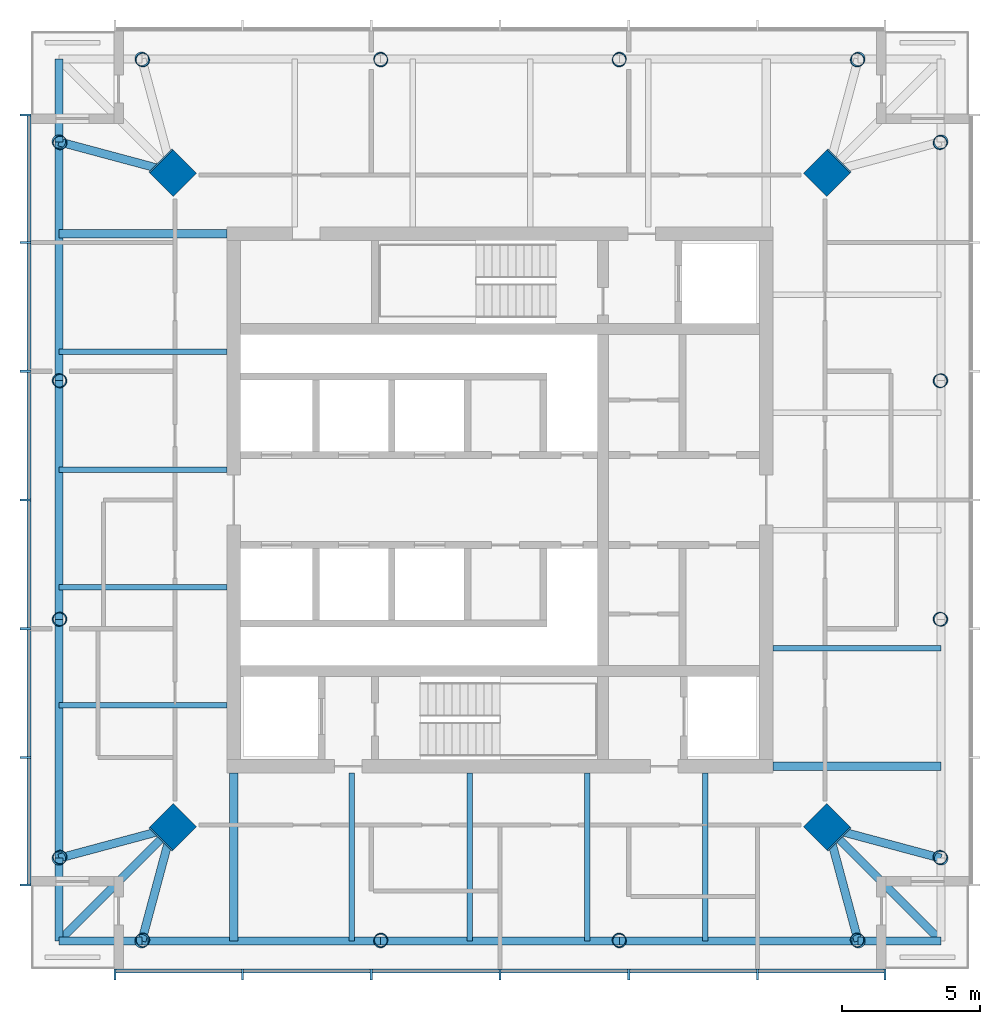
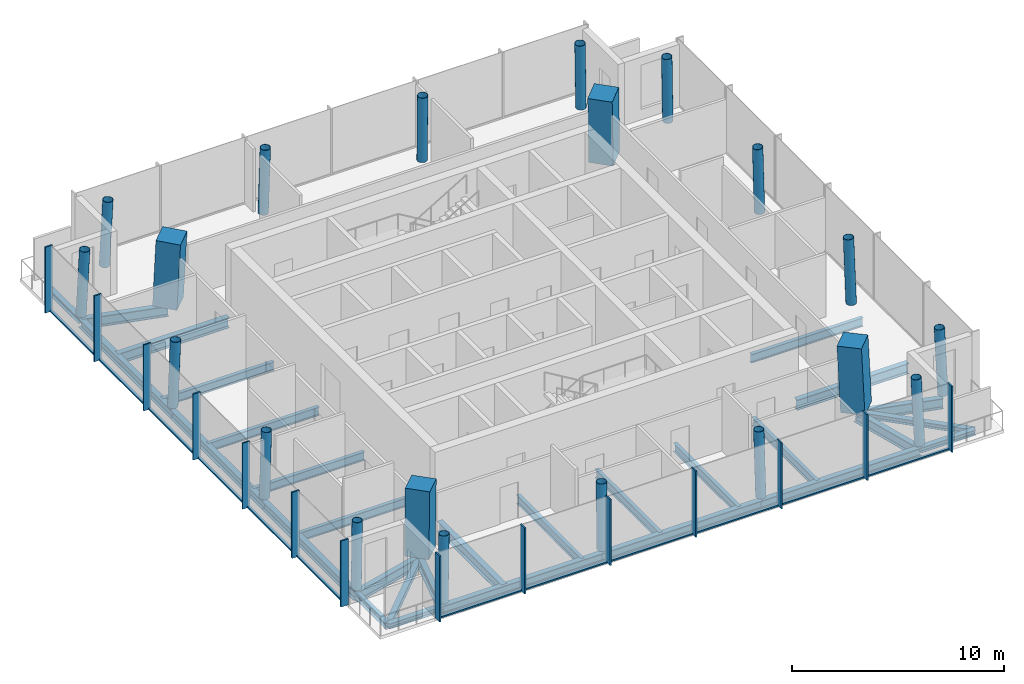
# One storey, part 1 of 7: 29 beams, 26 members, 20 columns, 2 elements without a shape of their own.
"""IFC4 building model written with IfcOpenShell, lengths in metres."""

from ifc_helpers import new_model, si_unit, direction, frame, origin, origin_2d, place, context, subcontext, project, spatial, rectangle, hollow_circle, i_section, extrude, material, material_profile, profile_set, type_object, element, aggregate, save


model = new_model("IFC4")

# Units and contexts
model_context = context("Model", 3, precision=1e-05, world=origin(), true_north=direction((0.0, 1.0)))
body_context = subcontext(model_context, "Body", "Model", "MODEL_VIEW")
ifc_project = project(units=[si_unit("LENGTHUNIT", "METRE"), si_unit("AREAUNIT", "SQUARE_METRE"), si_unit("VOLUMEUNIT", "CUBIC_METRE"), si_unit("PLANEANGLEUNIT", "RADIAN"), si_unit("MASSUNIT", "GRAM", prefix="KILO")], contexts=[model_context])

# Site, building, storey
site_placement = place(None, origin())
site = spatial("IfcSite", under=ifc_project, at=site_placement, CompositionType="ELEMENT")
building_placement = place(site_placement, origin())
building = spatial("IfcBuilding", under=site, at=building_placement, Name="Ostroluk Exchange", CompositionType="ELEMENT")
storey_placement = place(building_placement, frame((0.0, 0.0, 271.800048828125)))
storey = spatial("IfcBuildingStorey", under=building, at=storey_placement, Name="L70", CompositionType="ELEMENT", Elevation=271.800048828125)

# Columns
ifc_material_1 = material(Name="Concrete C50/60", Category="concrete")
ifc_material_profile_1 = material_profile(ifc_material_1, rectangle(XDim=1.199951171875, YDim=1.199951171875, at=origin_2d()), Name="RC 1200x1200")
ifc_profile_set_1 = profile_set([ifc_material_profile_1], Name="Concrete C50/60")
column_type_1 = type_object("IfcColumnType", Name="Mega column RC 1200x1200", PredefinedType="COLUMN", material=ifc_profile_set_1)
for number, where, z_axis, x_axis, name in (
    (1, (56.8857421875, 57.8857421875, 0.0), (-0.031898107953, -0.031898107953, 0.998981992539), (0.707106781187, -0.707106781187, 0.0), "T1 mega column NE"),
    (2, (33.1142578125, 57.8857421875, 0.0), (0.031898107953, -0.031898107953, 0.998981992539), (0.707106781187, 0.707106781187, 0.0), "T1 mega column NW"),
    (3, (33.1142578125, 34.1142578125, 0.0), (0.031898107953, 0.031898107953, 0.998981992539), (-0.707106781187, 0.707106781187, 0.0), "T1 mega column SW"),
    (4, (56.8857421875, 34.1142578125, 0.0), (-0.031898107953, 0.031898107953, 0.998981992539), (-0.707106781187, -0.707106781187, 0.0), "T1 mega column SE"),
):
    element("IfcColumn", number, at=place(storey_placement, frame(where, z_axis=z_axis, x_axis=x_axis)), inside=storey, type_object=column_type_1, Name=name, PredefinedType="COLUMN", context=body_context, shape_type="SweptSolid", body=[
        extrude(rectangle(XDim=1.199951171875, YDim=1.199951171875, at=origin_2d()), origin(), (0.0, 0.0, 1.0), 3.803955078125),
    ])
ifc_material_2 = material(Name="Steel S460", Category="steel")
ifc_material_profile_2 = material_profile(ifc_material_2, hollow_circle(Radius=0.25390625, WallThickness=0.02001953125, at=origin_2d()), Name="CHS 508x20")
ifc_profile_set_2 = profile_set([ifc_material_profile_2], Name="Steel S460")
column_type_2 = type_object("IfcColumnType", Name="Perimeter column CHS 508x20", PredefinedType="COLUMN", material=ifc_profile_set_2)
for number, where, z_axis, x_axis, name in (
    (5, (60.985595703125, 33.014404296875, 0.0), (-0.031898107953, 0.031898107953, 0.998981992539), (-0.707106781187, -0.707106781187, 0.0), "T1 east face column E0"),
    (6, (60.985595703125, 58.985595703125, 0.0), (-0.031898107953, -0.031898107953, 0.998981992539), (0.707106781187, -0.707106781187, 0.0), "T1 east face column E1"),
):
    element("IfcColumn", number, at=place(storey_placement, frame(where, z_axis=z_axis, x_axis=x_axis)), inside=storey, type_object=column_type_2, Name=name, PredefinedType="COLUMN", context=body_context, shape_type="SweptSolid", body=[
        extrude(hollow_circle(Radius=0.25390625, WallThickness=0.02001953125, at=origin_2d()), origin(), (0.0, 0.0, 1.0), 3.803955078125),
    ])
for number, where, z_axis, x_axis, name in (
    (7, (60.985595703125, 41.67138671875, 0.0), (-0.031912535354, 0.010658915229, 0.999433828532), (-0.316800238982, -0.948492281772, 0.0), "T1 east face column I1"),
    (8, (60.985595703125, 50.32861328125, 0.0), (-0.031912535354, -0.010658915229, 0.999433828532), (0.316800238982, -0.948492281772, 0.0), "T1 east face column I2"),
):
    element("IfcColumn", number, at=place(storey_placement, frame(where, z_axis=z_axis, x_axis=x_axis)), inside=storey, type_object=column_type_2, Name=name, PredefinedType="COLUMN", context=body_context, shape_type="SweptSolid", body=[
        extrude(hollow_circle(Radius=0.25390625, WallThickness=0.02001953125, at=origin_2d()), origin(), (0.0, 0.0, 1.0), 3.80224609375),
    ])
for number, where, z_axis, x_axis, name in (
    (9, (57.985595703125, 61.985595703125, 0.0), (-0.031898107953, -0.031898107953, 0.998981992539), (0.707106781187, -0.707106781187, 0.0), "T1 north face column E0"),
    (10, (32.014404296875, 61.985595703125, 0.0), (0.031898107953, -0.031898107953, 0.998981992539), (0.707106781187, 0.707106781187, 0.0), "T1 north face column E1"),
):
    element("IfcColumn", number, at=place(storey_placement, frame(where, z_axis=z_axis, x_axis=x_axis)), inside=storey, type_object=column_type_2, Name=name, PredefinedType="COLUMN", context=body_context, shape_type="SweptSolid", body=[
        extrude(hollow_circle(Radius=0.25390625, WallThickness=0.02001953125, at=origin_2d()), origin(), (0.0, 0.0, 1.0), 3.803955078125),
    ])
for number, where, z_axis, x_axis, name in (
    (11, (49.32861328125, 61.985595703125, 0.0), (-0.010658915229, -0.031912535354, 0.999433828532), (0.948492281772, -0.316800238982, 0.0), "T1 north face column I1"),
    (12, (40.67138671875, 61.985595703125, 0.0), (0.010658915229, -0.031912535354, 0.999433828532), (0.948492281772, 0.316800238982, 0.0), "T1 north face column I2"),
):
    element("IfcColumn", number, at=place(storey_placement, frame(where, z_axis=z_axis, x_axis=x_axis)), inside=storey, type_object=column_type_2, Name=name, PredefinedType="COLUMN", context=body_context, shape_type="SweptSolid", body=[
        extrude(hollow_circle(Radius=0.25390625, WallThickness=0.02001953125, at=origin_2d()), origin(), (0.0, 0.0, 1.0), 3.80224609375),
    ])
for number, where, z_axis, x_axis, name in (
    (13, (29.014404296875, 58.985595703125, 0.0), (0.031898107953, -0.031898107953, 0.998981992539), (0.707106781187, 0.707106781187, 0.0), "T1 west face column E0"),
    (14, (29.014404296875, 33.014404296875, 0.0), (0.031898107953, 0.031898107953, 0.998981992539), (-0.707106781187, 0.707106781187, 0.0), "T1 west face column E1"),
):
    element("IfcColumn", number, at=place(storey_placement, frame(where, z_axis=z_axis, x_axis=x_axis)), inside=storey, type_object=column_type_2, Name=name, PredefinedType="COLUMN", context=body_context, shape_type="SweptSolid", body=[
        extrude(hollow_circle(Radius=0.25390625, WallThickness=0.02001953125, at=origin_2d()), origin(), (0.0, 0.0, 1.0), 3.803955078125),
    ])
for number, where, z_axis, x_axis, name in (
    (15, (29.014404296875, 50.32861328125, 0.0), (0.031912535354, -0.010658915229, 0.999433828532), (0.316800238982, 0.948492281772, 0.0), "T1 west face column I1"),
    (16, (29.014404296875, 41.67138671875, 0.0), (0.031912535354, 0.010658915229, 0.999433828532), (-0.316800238982, 0.948492281772, 0.0), "T1 west face column I2"),
):
    element("IfcColumn", number, at=place(storey_placement, frame(where, z_axis=z_axis, x_axis=x_axis)), inside=storey, type_object=column_type_2, Name=name, PredefinedType="COLUMN", context=body_context, shape_type="SweptSolid", body=[
        extrude(hollow_circle(Radius=0.25390625, WallThickness=0.02001953125, at=origin_2d()), origin(), (0.0, 0.0, 1.0), 3.80224609375),
    ])
for number, where, z_axis, x_axis, name in (
    (17, (32.014404296875, 30.014404296875, 0.0), (0.031898107953, 0.031898107953, 0.998981992539), (-0.707106781187, 0.707106781187, 0.0), "T1 south face column E0"),
    (18, (57.985595703125, 30.014404296875, 0.0), (-0.031898107953, 0.031898107953, 0.998981992539), (-0.707106781187, -0.707106781187, 0.0), "T1 south face column E1"),
):
    element("IfcColumn", number, at=place(storey_placement, frame(where, z_axis=z_axis, x_axis=x_axis)), inside=storey, type_object=column_type_2, Name=name, PredefinedType="COLUMN", context=body_context, shape_type="SweptSolid", body=[
        extrude(hollow_circle(Radius=0.25390625, WallThickness=0.02001953125, at=origin_2d()), origin(), (0.0, 0.0, 1.0), 3.803955078125),
    ])
for number, where, z_axis, x_axis, name in (
    (19, (40.67138671875, 30.014404296875, 0.0), (0.010658915229, 0.031912535354, 0.999433828532), (-0.948492281772, 0.316800238982, 0.0), "T1 south face column I1"),
    (20, (49.32861328125, 30.014404296875, 0.0), (-0.010658915229, 0.031912535354, 0.999433828532), (-0.948492281772, -0.316800238982, 0.0), "T1 south face column I2"),
):
    element("IfcColumn", number, at=place(storey_placement, frame(where, z_axis=z_axis, x_axis=x_axis)), inside=storey, type_object=column_type_2, Name=name, PredefinedType="COLUMN", context=body_context, shape_type="SweptSolid", body=[
        extrude(hollow_circle(Radius=0.25390625, WallThickness=0.02001953125, at=origin_2d()), origin(), (0.0, 0.0, 1.0), 3.80224609375),
    ])

# Beams
ifc_material_3 = material(Name="Steel S355", Category="steel")
ifc_material_profile_3 = material_profile(ifc_material_3, i_section(OverallWidth=0.300048828125, OverallDepth=0.300048828125, WebThickness=0.010986328125, FlangeThickness=0.01904296875, FilletRadius=0.027099609375, at=origin_2d()), Name="HEB 300")
ifc_profile_set_3 = profile_set([ifc_material_profile_3], Name="Steel S355")
beam_type_1 = type_object("IfcBeamType", Name="Balcony beam HEB 300", PredefinedType="BEAM", material=ifc_profile_set_3)
for number, where, z_axis, x_axis, name in (
    (21, (29.014404296875, 58.985595703125, -0.330078125), (0.0, 1.0, 0.0), (-1.0, 0.0, 0.0), "T1 north balcony beam b"),
    (22, (29.014404296875, 33.014404296875, -0.330078125), (0.0, -1.0, 0.0), (1.0, 0.0, 0.0), "T1 west balcony beam a"),
    (23, (32.014404296875, 30.014404296875, -0.330078125), (-1.0, 0.0, 0.0), (0.0, -1.0, 0.0), "T1 west balcony beam b"),
):
    element("IfcBeam", number, at=place(storey_placement, frame(where, z_axis=z_axis, x_axis=x_axis)), inside=storey, type_object=beam_type_1, Name=name, PredefinedType="BEAM", context=body_context, shape_type="SweptSolid", body=[
        extrude(i_section(OverallWidth=0.300048828125, OverallDepth=0.300048828125, WebThickness=0.010986328125, FlangeThickness=0.01904296875, FilletRadius=0.027099609375, at=origin_2d()), origin(), (0.0, 0.0, 1.0), 3.0),
    ])
beam_1_placement = place(storey_placement, frame((33.1142578125, 34.1142578125, -0.330078125), z_axis=(-0.707106781187, -0.707106781187, 0.0), x_axis=(0.707106781187, -0.707106781187, 0.0)))
element("IfcBeam", 24, at=beam_1_placement, inside=storey, type_object=beam_type_1, Name="T1 west balcony beam c", PredefinedType="BEAM", context=body_context, shape_type="SweptSolid", body=[
    extrude(i_section(OverallWidth=0.300048828125, OverallDepth=0.300048828125, WebThickness=0.010986328125, FlangeThickness=0.01904296875, FilletRadius=0.027099609375, at=origin_2d()), origin(), (0.0, 0.0, 1.0), 5.798095703125),
])
beam_2_placement = place(storey_placement, frame((57.985595703125, 30.014404296875, -0.330078125), z_axis=(1.0, 0.0, 0.0), x_axis=(0.0, 1.0, 0.0)))
element("IfcBeam", 25, at=beam_2_placement, inside=storey, type_object=beam_type_1, Name="T1 south balcony beam a", PredefinedType="BEAM", context=body_context, shape_type="SweptSolid", body=[
    extrude(i_section(OverallWidth=0.300048828125, OverallDepth=0.300048828125, WebThickness=0.010986328125, FlangeThickness=0.01904296875, FilletRadius=0.027099609375, at=origin_2d()), origin(), (0.0, 0.0, 1.0), 3.0),
])
beam_3_placement = place(storey_placement, frame((56.8857421875, 34.1142578125, -0.330078125), z_axis=(0.707106781187, -0.707106781187, 0.0), x_axis=(0.707106781187, 0.707106781187, 0.0)))
element("IfcBeam", 26, at=beam_3_placement, inside=storey, type_object=beam_type_1, Name="T1 south balcony beam c", PredefinedType="BEAM", context=body_context, shape_type="SweptSolid", body=[
    extrude(i_section(OverallWidth=0.300048828125, OverallDepth=0.300048828125, WebThickness=0.010986328125, FlangeThickness=0.01904296875, FilletRadius=0.027099609375, at=origin_2d()), origin(), (0.0, 0.0, 1.0), 5.798095703125),
])
ifc_material_4 = material(Name="Steel S355", Category="steel")
ifc_material_profile_4 = material_profile(ifc_material_4, i_section(OverallWidth=0.300048828125, OverallDepth=0.60009765625, WebThickness=0.015380859375, FlangeThickness=0.030029296875, FilletRadius=0.027099609375, at=origin_2d()), Name="HEB 600")
ifc_profile_set_4 = profile_set([ifc_material_profile_4], Name="Steel S355")
beam_type_2 = type_object("IfcBeamType", Name="Corner edge beam HEB 600", PredefinedType="SPANDREL", material=ifc_profile_set_4)
for number, where, z_axis, x_axis, name in (
    (27, (33.1142578125, 57.8857421875, -0.47998046875), (-0.965849156574, 0.259105011038, 0.0), (-0.259105011038, -0.965849156574, 0.0), "T1 north corner edge beam b"),
    (28, (33.1142578125, 34.1142578125, -0.47998046875), (-0.965849156574, -0.259105011038, 0.0), (0.259105011038, -0.965849156574, 0.0), "T1 west corner edge beam a"),
    (29, (33.1142578125, 34.1142578125, -0.47998046875), (-0.259105011038, -0.965849156574, 0.0), (0.965849156574, -0.259105011038, 0.0), "T1 west corner edge beam b"),
    (30, (56.8857421875, 34.1142578125, -0.47998046875), (0.259105011038, -0.965849156574, 0.0), (0.965849156574, 0.259105011038, 0.0), "T1 south corner edge beam a"),
    (31, (56.8857421875, 34.1142578125, -0.47998046875), (0.965849156574, -0.259105011038, 0.0), (0.259105011038, 0.965849156574, 0.0), "T1 south corner edge beam b"),
):
    element("IfcBeam", number, at=place(storey_placement, frame(where, z_axis=z_axis, x_axis=x_axis)), inside=storey, type_object=beam_type_2, Name=name, PredefinedType="SPANDREL", context=body_context, shape_type="SweptSolid", body=[
        extrude(i_section(OverallWidth=0.300048828125, OverallDepth=0.60009765625, WebThickness=0.015380859375, FlangeThickness=0.030029296875, FilletRadius=0.027099609375, at=origin_2d()), origin(), (0.0, 0.0, 1.0), 4.244873046875),
    ])
ifc_material_5 = material(Name="Steel S355", Category="steel")
ifc_material_profile_5 = material_profile(ifc_material_5, i_section(OverallWidth=0.199951171875, OverallDepth=0.5, WebThickness=0.01025390625, FlangeThickness=0.01611328125, FilletRadius=0.02099609375, at=origin_2d()), Name="IPE 500")
ifc_profile_set_5 = profile_set([ifc_material_profile_5], Name="Steel S355")
beam_type_3 = type_object("IfcBeamType", Name="Floor beam IPE 500", PredefinedType="BEAM", material=ifc_profile_set_5)
for number, where, z_axis, x_axis, name in (
    (32, (54.89990234375, 40.62255859375, -0.429931640625), (1.0, 0.0, 0.0), (0.0, 1.0, 0.0), "T1 east floor beam 1"),
    (33, (35.10009765625, 51.37744140625, -0.429931640625), (-1.0, 0.0, 0.0), (0.0, -1.0, 0.0), "T1 west floor beam 1"),
    (34, (35.10009765625, 47.104736328125, -0.429931640625), (-1.0, 0.0, 0.0), (0.0, -1.0, 0.0), "T1 west floor beam 2"),
    (35, (35.10009765625, 42.83203125, -0.429931640625), (-1.0, 0.0, 0.0), (0.0, -1.0, 0.0), "T1 west floor beam 3"),
    (36, (35.10009765625, 38.5595703125, -0.429931640625), (-1.0, 0.0, 0.0), (0.0, -1.0, 0.0), "T1 west floor beam 4"),
    (37, (39.62255859375, 36.10009765625, -0.429931640625), (0.0, -1.0, 0.0), (1.0, 0.0, 0.0), "T1 south floor beam 1"),
    (38, (43.895263671875, 36.10009765625, -0.429931640625), (0.0, -1.0, 0.0), (1.0, 0.0, 0.0), "T1 south floor beam 2"),
    (39, (48.16796875, 36.10009765625, -0.429931640625), (0.0, -1.0, 0.0), (1.0, 0.0, 0.0), "T1 south floor beam 3"),
    (40, (52.4404296875, 36.10009765625, -0.429931640625), (0.0, -1.0, 0.0), (1.0, 0.0, 0.0), "T1 south floor beam 4"),
):
    element("IfcBeam", number, at=place(storey_placement, frame(where, z_axis=z_axis, x_axis=x_axis)), inside=storey, type_object=beam_type_3, Name=name, PredefinedType="BEAM", context=body_context, shape_type="SweptSolid", body=[
        extrude(i_section(OverallWidth=0.199951171875, OverallDepth=0.5, WebThickness=0.01025390625, FlangeThickness=0.01611328125, FilletRadius=0.02099609375, at=origin_2d()), origin(), (0.0, 0.0, 1.0), 6.085693359375),
    ])
ifc_material_6 = material(Name="Steel S355", Category="steel")
ifc_material_profile_6 = material_profile(ifc_material_6, i_section(OverallWidth=0.300048828125, OverallDepth=0.60009765625, WebThickness=0.015380859375, FlangeThickness=0.030029296875, FilletRadius=0.027099609375, at=origin_2d()), Name="HEB 600")
ifc_profile_set_6 = profile_set([ifc_material_profile_6], Name="Steel S355")
beam_type_4 = type_object("IfcBeamType", Name="Girder HEB 600", PredefinedType="BEAM", material=ifc_profile_set_6)
for number, where, z_axis, x_axis, name in (
    (41, (35.10009765625, 55.64990234375, -0.47998046875), (-1.0, 0.0, 0.0), (0.0, -1.0, 0.0), "T1 north girder"),
    (42, (35.35009765625, 36.10009765625, -0.47998046875), (0.0, -1.0, 0.0), (1.0, 0.0, 0.0), "T1 west girder"),
    (43, (54.89990234375, 36.35009765625, -0.47998046875), (1.0, 0.0, 0.0), (0.0, 1.0, 0.0), "T1 south girder"),
):
    element("IfcBeam", number, at=place(storey_placement, frame(where, z_axis=z_axis, x_axis=x_axis)), inside=storey, type_object=beam_type_4, Name=name, PredefinedType="BEAM", context=body_context, shape_type="SweptSolid", body=[
        extrude(i_section(OverallWidth=0.300048828125, OverallDepth=0.60009765625, WebThickness=0.015380859375, FlangeThickness=0.030029296875, FilletRadius=0.027099609375, at=origin_2d()), origin(), (0.0, 0.0, 1.0), 6.085693359375),
    ])
ifc_material_7 = material(Name="Steel S355", Category="steel")
ifc_material_profile_7 = material_profile(ifc_material_7, i_section(OverallWidth=0.300048828125, OverallDepth=0.5, WebThickness=0.014404296875, FlangeThickness=0.028076171875, FilletRadius=0.027099609375, at=origin_2d()), Name="HEB 500")
ifc_profile_set_7 = profile_set([ifc_material_profile_7], Name="Steel S355")
beam_type_5 = type_object("IfcBeamType", Name="Moment-connected edge beam HEB 500", PredefinedType="SPANDREL", material=ifc_profile_set_7)
beam_4_placement = place(storey_placement, frame((29.014404296875, 58.985595703125, -0.429931640625), z_axis=(0.0, -1.0, 0.0), x_axis=(1.0, 0.0, 0.0)))
element("IfcBeam", 44, at=beam_4_placement, inside=storey, type_object=beam_type_5, Name="T1 west edge beam 1", PredefinedType="SPANDREL", context=body_context, shape_type="SweptSolid", body=[
    extrude(i_section(OverallWidth=0.300048828125, OverallDepth=0.5, WebThickness=0.014404296875, FlangeThickness=0.028076171875, FilletRadius=0.027099609375, at=origin_2d()), origin(), (0.0, 0.0, 1.0), 8.656982421875),
])
beam_5_placement = place(storey_placement, frame((29.014404296875, 50.32861328125, -0.429931640625), z_axis=(0.0, -1.0, 0.0), x_axis=(1.0, 0.0, 0.0)))
element("IfcBeam", 45, at=beam_5_placement, inside=storey, type_object=beam_type_5, Name="T1 west edge beam 2", PredefinedType="SPANDREL", context=body_context, shape_type="SweptSolid", body=[
    extrude(i_section(OverallWidth=0.300048828125, OverallDepth=0.5, WebThickness=0.014404296875, FlangeThickness=0.028076171875, FilletRadius=0.027099609375, at=origin_2d()), origin(), (0.0, 0.0, 1.0), 8.6572265625),
])
for number, where, z_axis, x_axis, name in (
    (46, (29.014404296875, 41.67138671875, -0.429931640625), (0.0, -1.0, 0.0), (1.0, 0.0, 0.0), "T1 west edge beam 3"),
    (47, (32.014404296875, 30.014404296875, -0.429931640625), (1.0, 0.0, 0.0), (0.0, 1.0, 0.0), "T1 south edge beam 1"),
):
    element("IfcBeam", number, at=place(storey_placement, frame(where, z_axis=z_axis, x_axis=x_axis)), inside=storey, type_object=beam_type_5, Name=name, PredefinedType="SPANDREL", context=body_context, shape_type="SweptSolid", body=[
        extrude(i_section(OverallWidth=0.300048828125, OverallDepth=0.5, WebThickness=0.014404296875, FlangeThickness=0.028076171875, FilletRadius=0.027099609375, at=origin_2d()), origin(), (0.0, 0.0, 1.0), 8.656982421875),
    ])
beam_6_placement = place(storey_placement, frame((40.67138671875, 30.014404296875, -0.429931640625), z_axis=(1.0, 0.0, 0.0), x_axis=(0.0, 1.0, 0.0)))
element("IfcBeam", 48, at=beam_6_placement, inside=storey, type_object=beam_type_5, Name="T1 south edge beam 2", PredefinedType="SPANDREL", context=body_context, shape_type="SweptSolid", body=[
    extrude(i_section(OverallWidth=0.300048828125, OverallDepth=0.5, WebThickness=0.014404296875, FlangeThickness=0.028076171875, FilletRadius=0.027099609375, at=origin_2d()), origin(), (0.0, 0.0, 1.0), 8.6572265625),
])
beam_7_placement = place(storey_placement, frame((49.32861328125, 30.014404296875, -0.429931640625), z_axis=(1.0, 0.0, 0.0), x_axis=(0.0, 1.0, 0.0)))
element("IfcBeam", 49, at=beam_7_placement, inside=storey, type_object=beam_type_5, Name="T1 south edge beam 3", PredefinedType="SPANDREL", context=body_context, shape_type="SweptSolid", body=[
    extrude(i_section(OverallWidth=0.300048828125, OverallDepth=0.5, WebThickness=0.014404296875, FlangeThickness=0.028076171875, FilletRadius=0.027099609375, at=origin_2d()), origin(), (0.0, 0.0, 1.0), 8.656982421875),
])

# Curtain wall, members
ifc_material_8 = material(Name="Laminated clear glass", Category="glass")
curtain_wall_type = type_object("IfcCurtainWallType", Name="Office tower facade", PredefinedType="USERDEFINED", material=ifc_material_8)
curtain_wall_1_placement = place(storey_placement, origin())
curtain_wall_1 = element("IfcCurtainWall", 50, at=curtain_wall_1_placement, inside=storey, type_object=curtain_wall_type, Name="Office tower south facade L70", ObjectType="UNITISED CURTAIN WALL", PredefinedType="USERDEFINED")
ifc_material_9 = material(Name="Aluminium mullion", Category="aluminium")
ifc_material_profile_8 = material_profile(ifc_material_9, rectangle(XDim=0.14990234375, YDim=0.080078125, at=origin_2d()), Name="Sill transom 80 x 150")
ifc_profile_set_8 = profile_set([ifc_material_profile_8], Name="Aluminium mullion")
member_type_1 = type_object("IfcMemberType", Name="Sill transom 80 x 150", PredefinedType="USERDEFINED", material=ifc_profile_set_8)
member_1_placement = place(storey_placement, frame((31.080078125, 28.925048828125, 0.0400390625), z_axis=(1.0, 0.0, 0.0), x_axis=(0.0, 1.0, 0.0)))
member_1 = element("IfcMember", 51, at=member_1_placement, type_object=member_type_1, Name="CW-O1 transom 1.1", ObjectType="TRANSOM", PredefinedType="USERDEFINED", context=body_context, shape_type="SweptSolid", body=[
    extrude(rectangle(XDim=0.14990234375, YDim=0.080078125, at=origin_2d()), origin(), (0.0, 0.0, 1.0), 4.546630859375),
])
member_2_placement = place(storey_placement, frame((35.706787109375, 28.925048828125, 0.0400390625), z_axis=(1.0, 0.0, 0.0), x_axis=(0.0, 1.0, 0.0)))
member_2 = element("IfcMember", 52, at=member_2_placement, type_object=member_type_1, Name="CW-O1 transom 2.1", ObjectType="TRANSOM", PredefinedType="USERDEFINED", context=body_context, shape_type="SweptSolid", body=[
    extrude(rectangle(XDim=0.14990234375, YDim=0.080078125, at=origin_2d()), origin(), (0.0, 0.0, 1.0), 4.58642578125),
])
member_3_placement = place(storey_placement, frame((40.373291015625, 28.925048828125, 0.0400390625), z_axis=(1.0, 0.0, 0.0), x_axis=(0.0, 1.0, 0.0)))
member_3 = element("IfcMember", 53, at=member_3_placement, type_object=member_type_1, Name="CW-O1 transom 3.1", ObjectType="TRANSOM", PredefinedType="USERDEFINED", context=body_context, shape_type="SweptSolid", body=[
    extrude(rectangle(XDim=0.14990234375, YDim=0.080078125, at=origin_2d()), origin(), (0.0, 0.0, 1.0), 4.586669921875),
])
member_4_placement = place(storey_placement, frame((45.0400390625, 28.925048828125, 0.0400390625), z_axis=(1.0, 0.0, 0.0), x_axis=(0.0, 1.0, 0.0)))
member_4 = element("IfcMember", 54, at=member_4_placement, type_object=member_type_1, Name="CW-O1 transom 4.1", ObjectType="TRANSOM", PredefinedType="USERDEFINED", context=body_context, shape_type="SweptSolid", body=[
    extrude(rectangle(XDim=0.14990234375, YDim=0.080078125, at=origin_2d()), origin(), (0.0, 0.0, 1.0), 4.586669921875),
])
member_5_placement = place(storey_placement, frame((49.706787109375, 28.925048828125, 0.0400390625), z_axis=(1.0, 0.0, 0.0), x_axis=(0.0, 1.0, 0.0)))
member_5 = element("IfcMember", 55, at=member_5_placement, type_object=member_type_1, Name="CW-O1 transom 5.1", ObjectType="TRANSOM", PredefinedType="USERDEFINED", context=body_context, shape_type="SweptSolid", body=[
    extrude(rectangle(XDim=0.14990234375, YDim=0.080078125, at=origin_2d()), origin(), (0.0, 0.0, 1.0), 4.58642578125),
])
member_6_placement = place(storey_placement, frame((54.373291015625, 28.925048828125, 0.0400390625), z_axis=(1.0, 0.0, 0.0), x_axis=(0.0, 1.0, 0.0)))
member_6 = element("IfcMember", 56, at=member_6_placement, type_object=member_type_1, Name="CW-O1 transom 6.1", ObjectType="TRANSOM", PredefinedType="USERDEFINED", context=body_context, shape_type="SweptSolid", body=[
    extrude(rectangle(XDim=0.14990234375, YDim=0.080078125, at=origin_2d()), origin(), (0.0, 0.0, 1.0), 4.546630859375),
])

curtain_wall_2_placement = place(storey_placement, origin())
curtain_wall_2 = element("IfcCurtainWall", 57, at=curtain_wall_2_placement, inside=storey, type_object=curtain_wall_type, Name="Office tower west facade L70", ObjectType="UNITISED CURTAIN WALL", PredefinedType="USERDEFINED")
member_7_placement = place(storey_placement, frame((27.925048828125, 59.919921875, 0.0400390625), z_axis=(0.0, -1.0, 0.0), x_axis=(1.0, 0.0, 0.0)))
member_7 = element("IfcMember", 58, at=member_7_placement, type_object=member_type_1, Name="CW-O1 transom 1.1", ObjectType="TRANSOM", PredefinedType="USERDEFINED", context=body_context, shape_type="SweptSolid", body=[
    extrude(rectangle(XDim=0.14990234375, YDim=0.080078125, at=origin_2d()), origin(), (0.0, 0.0, 1.0), 4.546630859375),
])
member_8_placement = place(storey_placement, frame((27.925048828125, 55.293212890625, 0.0400390625), z_axis=(0.0, -1.0, 0.0), x_axis=(1.0, 0.0, 0.0)))
member_8 = element("IfcMember", 59, at=member_8_placement, type_object=member_type_1, Name="CW-O1 transom 2.1", ObjectType="TRANSOM", PredefinedType="USERDEFINED", context=body_context, shape_type="SweptSolid", body=[
    extrude(rectangle(XDim=0.14990234375, YDim=0.080078125, at=origin_2d()), origin(), (0.0, 0.0, 1.0), 4.58642578125),
])
member_9_placement = place(storey_placement, frame((27.925048828125, 50.626708984375, 0.0400390625), z_axis=(0.0, -1.0, 0.0), x_axis=(1.0, 0.0, 0.0)))
member_9 = element("IfcMember", 60, at=member_9_placement, type_object=member_type_1, Name="CW-O1 transom 3.1", ObjectType="TRANSOM", PredefinedType="USERDEFINED", context=body_context, shape_type="SweptSolid", body=[
    extrude(rectangle(XDim=0.14990234375, YDim=0.080078125, at=origin_2d()), origin(), (0.0, 0.0, 1.0), 4.586669921875),
])
member_10_placement = place(storey_placement, frame((27.925048828125, 45.9599609375, 0.0400390625), z_axis=(0.0, -1.0, 0.0), x_axis=(1.0, 0.0, 0.0)))
member_10 = element("IfcMember", 61, at=member_10_placement, type_object=member_type_1, Name="CW-O1 transom 4.1", ObjectType="TRANSOM", PredefinedType="USERDEFINED", context=body_context, shape_type="SweptSolid", body=[
    extrude(rectangle(XDim=0.14990234375, YDim=0.080078125, at=origin_2d()), origin(), (0.0, 0.0, 1.0), 4.586669921875),
])
member_11_placement = place(storey_placement, frame((27.925048828125, 41.293212890625, 0.0400390625), z_axis=(0.0, -1.0, 0.0), x_axis=(1.0, 0.0, 0.0)))
member_11 = element("IfcMember", 62, at=member_11_placement, type_object=member_type_1, Name="CW-O1 transom 5.1", ObjectType="TRANSOM", PredefinedType="USERDEFINED", context=body_context, shape_type="SweptSolid", body=[
    extrude(rectangle(XDim=0.14990234375, YDim=0.080078125, at=origin_2d()), origin(), (0.0, 0.0, 1.0), 4.58642578125),
])
member_12_placement = place(storey_placement, frame((27.925048828125, 36.626708984375, 0.0400390625), z_axis=(0.0, -1.0, 0.0), x_axis=(1.0, 0.0, 0.0)))
member_12 = element("IfcMember", 63, at=member_12_placement, type_object=member_type_1, Name="CW-O1 transom 6.1", ObjectType="TRANSOM", PredefinedType="USERDEFINED", context=body_context, shape_type="SweptSolid", body=[
    extrude(rectangle(XDim=0.14990234375, YDim=0.080078125, at=origin_2d()), origin(), (0.0, 0.0, 1.0), 4.546630859375),
])

# Member
ifc_material_10 = material(Name="Aluminium mullion with limestone facing", Category="masonry")
ifc_material_profile_9 = material_profile(ifc_material_10, rectangle(XDim=0.39990234375, YDim=0.080078125, at=origin_2d()), Name="Tracery mullion 80 x 400")
ifc_profile_set_9 = profile_set([ifc_material_profile_9], Name="Aluminium mullion with limestone facing")
member_type_2 = type_object("IfcMemberType", Name="Tracery mullion 80 x 400", PredefinedType="MULLION", material=ifc_profile_set_9)
member_13_placement = place(storey_placement, frame((31.0400390625, 28.800048828125, 0.0), z_axis=(0.0, 0.0, 1.0), x_axis=(0.0, 1.0, 0.0)))
member_13 = element("IfcMember", 64, at=member_13_placement, type_object=member_type_2, Name="CW-O1 mullion 1", PredefinedType="MULLION", context=body_context, shape_type="SweptSolid", body=[
    extrude(rectangle(XDim=0.39990234375, YDim=0.080078125, at=origin_2d()), origin(), (0.0, 0.0, 1.0), 3.800048828125),
])

member_14_placement = place(storey_placement, frame((35.666748046875, 28.800048828125, 0.0), z_axis=(0.0, 0.0, 1.0), x_axis=(0.0, 1.0, 0.0)))
member_14 = element("IfcMember", 65, at=member_14_placement, type_object=member_type_2, Name="CW-O1 mullion 2", PredefinedType="MULLION", context=body_context, shape_type="SweptSolid", body=[
    extrude(rectangle(XDim=0.39990234375, YDim=0.080078125, at=origin_2d()), origin(), (0.0, 0.0, 1.0), 3.800048828125),
])

member_15_placement = place(storey_placement, frame((40.333251953125, 28.800048828125, 0.0), z_axis=(0.0, 0.0, 1.0), x_axis=(0.0, 1.0, 0.0)))
member_15 = element("IfcMember", 66, at=member_15_placement, type_object=member_type_2, Name="CW-O1 mullion 3", PredefinedType="MULLION", context=body_context, shape_type="SweptSolid", body=[
    extrude(rectangle(XDim=0.39990234375, YDim=0.080078125, at=origin_2d()), origin(), (0.0, 0.0, 1.0), 3.800048828125),
])

member_16_placement = place(storey_placement, frame((45.0, 28.800048828125, 0.0), z_axis=(0.0, 0.0, 1.0), x_axis=(0.0, 1.0, 0.0)))
member_16 = element("IfcMember", 67, at=member_16_placement, type_object=member_type_2, Name="CW-O1 mullion 4", PredefinedType="MULLION", context=body_context, shape_type="SweptSolid", body=[
    extrude(rectangle(XDim=0.39990234375, YDim=0.080078125, at=origin_2d()), origin(), (0.0, 0.0, 1.0), 3.800048828125),
])

member_17_placement = place(storey_placement, frame((49.666748046875, 28.800048828125, 0.0), z_axis=(0.0, 0.0, 1.0), x_axis=(0.0, 1.0, 0.0)))
member_17 = element("IfcMember", 68, at=member_17_placement, type_object=member_type_2, Name="CW-O1 mullion 5", PredefinedType="MULLION", context=body_context, shape_type="SweptSolid", body=[
    extrude(rectangle(XDim=0.39990234375, YDim=0.080078125, at=origin_2d()), origin(), (0.0, 0.0, 1.0), 3.800048828125),
])

member_18_placement = place(storey_placement, frame((54.333251953125, 28.800048828125, 0.0), z_axis=(0.0, 0.0, 1.0), x_axis=(0.0, 1.0, 0.0)))
member_18 = element("IfcMember", 69, at=member_18_placement, type_object=member_type_2, Name="CW-O1 mullion 6", PredefinedType="MULLION", context=body_context, shape_type="SweptSolid", body=[
    extrude(rectangle(XDim=0.39990234375, YDim=0.080078125, at=origin_2d()), origin(), (0.0, 0.0, 1.0), 3.800048828125),
])

member_19_placement = place(storey_placement, frame((58.9599609375, 28.800048828125, 0.0), z_axis=(0.0, 0.0, 1.0), x_axis=(0.0, 1.0, 0.0)))
member_19 = element("IfcMember", 70, at=member_19_placement, type_object=member_type_2, Name="CW-O1 mullion 7", PredefinedType="MULLION", context=body_context, shape_type="SweptSolid", body=[
    extrude(rectangle(XDim=0.39990234375, YDim=0.080078125, at=origin_2d()), origin(), (0.0, 0.0, 1.0), 3.800048828125),
])

aggregate(curtain_wall_1, [member_13, member_14, member_15, member_16, member_17, member_18, member_19, member_1, member_2, member_3, member_4, member_5, member_6])

member_20_placement = place(storey_placement, frame((27.800048828125, 59.9599609375, 0.0), z_axis=(0.0, 0.0, 1.0), x_axis=(1.0, 0.0, 0.0)))
member_20 = element("IfcMember", 71, at=member_20_placement, type_object=member_type_2, Name="CW-O1 mullion 1", PredefinedType="MULLION", context=body_context, shape_type="SweptSolid", body=[
    extrude(rectangle(XDim=0.39990234375, YDim=0.080078125, at=origin_2d()), origin(), (0.0, 0.0, 1.0), 3.800048828125),
])

member_21_placement = place(storey_placement, frame((27.800048828125, 55.333251953125, 0.0), z_axis=(0.0, 0.0, 1.0), x_axis=(1.0, 0.0, 0.0)))
member_21 = element("IfcMember", 72, at=member_21_placement, type_object=member_type_2, Name="CW-O1 mullion 2", PredefinedType="MULLION", context=body_context, shape_type="SweptSolid", body=[
    extrude(rectangle(XDim=0.39990234375, YDim=0.080078125, at=origin_2d()), origin(), (0.0, 0.0, 1.0), 3.800048828125),
])

member_22_placement = place(storey_placement, frame((27.800048828125, 50.666748046875, 0.0), z_axis=(0.0, 0.0, 1.0), x_axis=(1.0, 0.0, 0.0)))
member_22 = element("IfcMember", 73, at=member_22_placement, type_object=member_type_2, Name="CW-O1 mullion 3", PredefinedType="MULLION", context=body_context, shape_type="SweptSolid", body=[
    extrude(rectangle(XDim=0.39990234375, YDim=0.080078125, at=origin_2d()), origin(), (0.0, 0.0, 1.0), 3.800048828125),
])

member_23_placement = place(storey_placement, frame((27.800048828125, 46.0, 0.0), z_axis=(0.0, 0.0, 1.0), x_axis=(1.0, 0.0, 0.0)))
member_23 = element("IfcMember", 74, at=member_23_placement, type_object=member_type_2, Name="CW-O1 mullion 4", PredefinedType="MULLION", context=body_context, shape_type="SweptSolid", body=[
    extrude(rectangle(XDim=0.39990234375, YDim=0.080078125, at=origin_2d()), origin(), (0.0, 0.0, 1.0), 3.800048828125),
])

member_24_placement = place(storey_placement, frame((27.800048828125, 41.333251953125, 0.0), z_axis=(0.0, 0.0, 1.0), x_axis=(1.0, 0.0, 0.0)))
member_24 = element("IfcMember", 75, at=member_24_placement, type_object=member_type_2, Name="CW-O1 mullion 5", PredefinedType="MULLION", context=body_context, shape_type="SweptSolid", body=[
    extrude(rectangle(XDim=0.39990234375, YDim=0.080078125, at=origin_2d()), origin(), (0.0, 0.0, 1.0), 3.800048828125),
])

member_25_placement = place(storey_placement, frame((27.800048828125, 36.666748046875, 0.0), z_axis=(0.0, 0.0, 1.0), x_axis=(1.0, 0.0, 0.0)))
member_25 = element("IfcMember", 76, at=member_25_placement, type_object=member_type_2, Name="CW-O1 mullion 6", PredefinedType="MULLION", context=body_context, shape_type="SweptSolid", body=[
    extrude(rectangle(XDim=0.39990234375, YDim=0.080078125, at=origin_2d()), origin(), (0.0, 0.0, 1.0), 3.800048828125),
])

member_26_placement = place(storey_placement, frame((27.800048828125, 32.0400390625, 0.0), z_axis=(0.0, 0.0, 1.0), x_axis=(1.0, 0.0, 0.0)))
member_26 = element("IfcMember", 77, at=member_26_placement, type_object=member_type_2, Name="CW-O1 mullion 7", PredefinedType="MULLION", context=body_context, shape_type="SweptSolid", body=[
    extrude(rectangle(XDim=0.39990234375, YDim=0.080078125, at=origin_2d()), origin(), (0.0, 0.0, 1.0), 3.800048828125),
])

aggregate(curtain_wall_2, [member_20, member_21, member_22, member_23, member_24, member_25, member_26, member_7, member_8, member_9, member_10, member_11, member_12])

save(model, "model.ifc")
